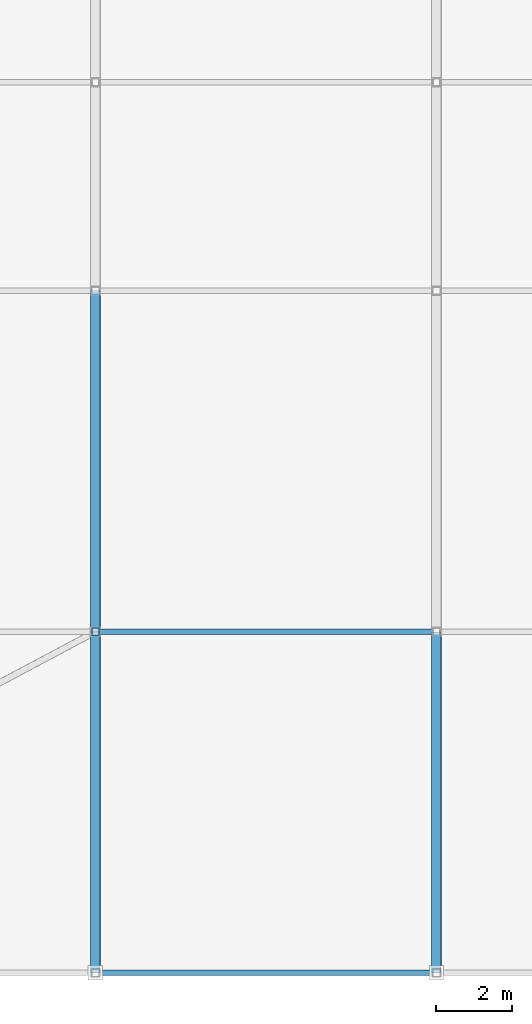
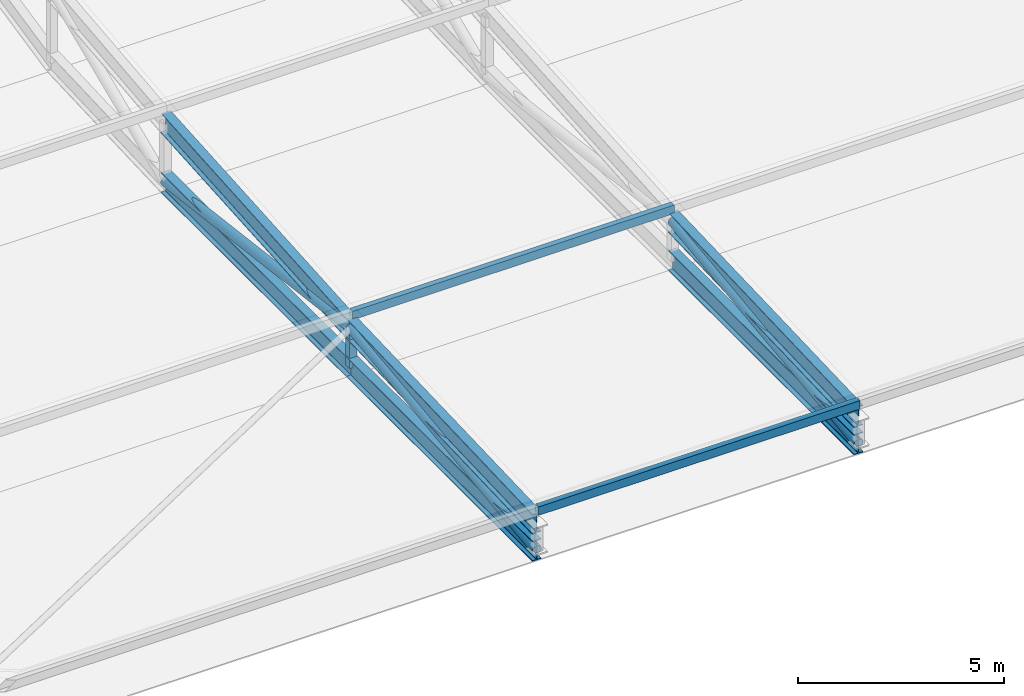
# One storey, part 14 of 114: 6 beams, 6 members.
"""IFC4 building model written with IfcOpenShell, lengths in metres."""

from ifc_helpers import new_model, si_unit, direction, frame, origin, origin_2d, place, context, subcontext, project, spatial, hollow_rectangle, hollow_circle, i_section, extrude, material, material_profile, profile_set, type_object, element, save


model = new_model("IFC4")

# Units and contexts
model_context = context("Model", 3, precision=1e-05, world=origin(), true_north=direction((0.0, 1.0)))
body_context = subcontext(model_context, "Body", "Model", "MODEL_VIEW")
ifc_project = project(units=[si_unit("LENGTHUNIT", "METRE"), si_unit("AREAUNIT", "SQUARE_METRE"), si_unit("VOLUMEUNIT", "CUBIC_METRE"), si_unit("PLANEANGLEUNIT", "RADIAN"), si_unit("MASSUNIT", "GRAM", prefix="KILO"), si_unit("THERMODYNAMICTEMPERATUREUNIT", "KELVIN"), si_unit("POWERUNIT", "WATT")], contexts=[model_context])

# Site, building, storey
site_placement = place(None, origin())
site = spatial("IfcSite", under=ifc_project, at=site_placement, CompositionType="ELEMENT")
building_placement = place(site_placement, origin())
building = spatial("IfcBuilding", under=site, at=building_placement, Name="Sindhuravela Promenade Stadium", CompositionType="ELEMENT")
storey_placement = place(building_placement, frame((0.0, 0.0, 24.0)))
storey = spatial("IfcBuildingStorey", under=building, at=storey_placement, Name="L05", CompositionType="ELEMENT", Elevation=24.0)

# Beams
ifc_material = material(Name="Steel E350 (IS 2062 E350BR)", Category="steel")
ifc_material_profile_1 = material_profile(ifc_material, i_section(OverallWidth=0.25, OverallDepth=0.60009765625, WebThickness=0.01171875, FlangeThickness=0.023681640625, FilletRadius=0.01708984375, at=origin_2d()), Name="ISWB 600")
ifc_profile_set_1 = profile_set([ifc_material_profile_1], Name="Steel E350 (IS 2062 E350BR)")
beam_type = type_object("IfcBeamType", Name="ST-BM-WB600", PredefinedType="USERDEFINED", material=ifc_profile_set_1)
beam_1_placement = place(storey_placement, frame((72.0, 9.0, 0.800048828125), z_axis=(0.0, 0.9993399990381225, 0.03632583546850814), x_axis=(-1.0, 0.0, 0.0)))
element("IfcBeam", 1, at=beam_1_placement, inside=storey, type_object=beam_type, Name="Roof truss RT-S02 top chord 1", ObjectType="ROOF TRUSS", PredefinedType="USERDEFINED", context=body_context, shape_type="SweptSolid", body=[
    extrude(i_section(OverallWidth=0.25, OverallDepth=0.60009765625, WebThickness=0.01171875, FlangeThickness=0.023681640625, FilletRadius=0.01708984375, at=origin_2d()), origin(), (0.0, 0.0, 1.0), 9.005859375),
])
beam_2_placement = place(storey_placement, frame((72.0, 9.0, 0.0), z_axis=(0.0, 1.0, 0.0), x_axis=(-1.0, 0.0, 0.0)))
element("IfcBeam", 2, at=beam_2_placement, inside=storey, type_object=beam_type, Name="Roof truss RT-S02 bottom chord 1", ObjectType="ROOF TRUSS", PredefinedType="USERDEFINED", context=body_context, shape_type="SweptSolid", body=[
    extrude(i_section(OverallWidth=0.25, OverallDepth=0.60009765625, WebThickness=0.01171875, FlangeThickness=0.023681640625, FilletRadius=0.01708984375, at=origin_2d()), origin(), (0.0, 0.0, 1.0), 9.0),
])
beam_3_placement = place(storey_placement, frame((72.0, 18.0, 1.127197265625), z_axis=(0.0, 0.9975125305940163, 0.07048937017679613), x_axis=(-1.0, 0.0, 0.0)))
element("IfcBeam", 3, at=beam_3_placement, inside=storey, type_object=beam_type, Name="Roof truss RT-S02 top chord 2", ObjectType="ROOF TRUSS", PredefinedType="USERDEFINED", context=body_context, shape_type="SweptSolid", body=[
    extrude(i_section(OverallWidth=0.25, OverallDepth=0.60009765625, WebThickness=0.01171875, FlangeThickness=0.023681640625, FilletRadius=0.01708984375, at=origin_2d()), origin(), (0.0, 0.0, 1.0), 9.0224609375),
])
beam_4_placement = place(storey_placement, frame((72.0, 18.0, 0.0), z_axis=(0.0, 1.0, 0.0), x_axis=(-1.0, 0.0, 0.0)))
element("IfcBeam", 4, at=beam_4_placement, inside=storey, type_object=beam_type, Name="Roof truss RT-S02 bottom chord 2", ObjectType="ROOF TRUSS", PredefinedType="USERDEFINED", context=body_context, shape_type="SweptSolid", body=[
    extrude(i_section(OverallWidth=0.25, OverallDepth=0.60009765625, WebThickness=0.01171875, FlangeThickness=0.023681640625, FilletRadius=0.01708984375, at=origin_2d()), origin(), (0.0, 0.0, 1.0), 9.0),
])
beam_5_placement = place(storey_placement, frame((81.0, 9.0, 0.800048828125), z_axis=(0.0, 0.9993399990381225, 0.03632583546850814), x_axis=(-1.0, 0.0, 0.0)))
element("IfcBeam", 5, at=beam_5_placement, inside=storey, type_object=beam_type, Name="Roof truss RT-S03 top chord 1", ObjectType="ROOF TRUSS", PredefinedType="USERDEFINED", context=body_context, shape_type="SweptSolid", body=[
    extrude(i_section(OverallWidth=0.25, OverallDepth=0.60009765625, WebThickness=0.01171875, FlangeThickness=0.023681640625, FilletRadius=0.01708984375, at=origin_2d()), origin(), (0.0, 0.0, 1.0), 9.005859375),
])
beam_6_placement = place(storey_placement, frame((81.0, 9.0, 0.0), z_axis=(0.0, 1.0, 0.0), x_axis=(-1.0, 0.0, 0.0)))
element("IfcBeam", 6, at=beam_6_placement, inside=storey, type_object=beam_type, Name="Roof truss RT-S03 bottom chord 1", ObjectType="ROOF TRUSS", PredefinedType="USERDEFINED", context=body_context, shape_type="SweptSolid", body=[
    extrude(i_section(OverallWidth=0.25, OverallDepth=0.60009765625, WebThickness=0.01171875, FlangeThickness=0.023681640625, FilletRadius=0.01708984375, at=origin_2d()), origin(), (0.0, 0.0, 1.0), 9.0),
])

# Members
ifc_material_profile_2 = material_profile(ifc_material, hollow_circle(Radius=0.136474609375, WallThickness=0.010009765625, at=origin_2d()), Name="CHS 273.0x10")
ifc_profile_set_2 = profile_set([ifc_material_profile_2], Name="Steel E350 (IS 2062 E350BR)")
member_type_1 = type_object("IfcMemberType", Name="ST-MB-CHS273", PredefinedType="BRACE", material=ifc_profile_set_2)
for number, where, z_axis, x_axis, name in (
    (7, (72.0, 9.0, 0.0), (0.0, 0.9922480329009012, 0.12427325216752011), (-1.0, 0.0, 0.0), "Roof truss RT-S02 diagonal web 1"),
    (8, (72.0, 18.0, 1.127197265625), (0.0, 0.9922480329009012, -0.12427325216752011), (-1.0, 0.0, 0.0), "Roof truss RT-S02 diagonal web 2"),
    (9, (81.0, 9.0, 0.0), (0.0, 0.9922480329009012, 0.12427325216752011), (-1.0, 0.0, 0.0), "Roof truss RT-S03 diagonal web 1"),
):
    element("IfcMember", number, at=place(storey_placement, frame(where, z_axis=z_axis, x_axis=x_axis)), inside=storey, type_object=member_type_1, Name=name, PredefinedType="BRACE", context=body_context, shape_type="SweptSolid", body=[
        extrude(hollow_circle(Radius=0.136474609375, WallThickness=0.010009765625, at=origin_2d()), origin(), (0.0, 0.0, 1.0), 9.0703125),
    ])
ifc_material_profile_3 = material_profile(ifc_material, hollow_rectangle(XDim=0.14990234375, YDim=0.25, WallThickness=0.010009765625, at=origin_2d()), Name="RHS 250x150x10")
ifc_profile_set_3 = profile_set([ifc_material_profile_3], Name="Steel E350 (IS 2062 E350BR)")
member_type_2 = type_object("IfcMemberType", Name="ST-MB-RHS250", PredefinedType="PURLIN", material=ifc_profile_set_3)
for number, where, z_axis, x_axis, name in (
    (10, (72.0, 9.0, 1.19189453125), (1.0, 0.0, 0.0), (0.0, 1.0, 0.0), "Roof purlin PR01 S bay 2.1"),
    (11, (72.0, 18.0, 1.51904296875), (1.0, 0.0, 0.0), (0.0, 1.0, 0.0), "Roof purlin PR01 S bay 2.2"),
):
    element("IfcMember", number, at=place(storey_placement, frame(where, z_axis=z_axis, x_axis=x_axis)), inside=storey, type_object=member_type_2, Name=name, PredefinedType="PURLIN", context=body_context, shape_type="SweptSolid", body=[
        extrude(hollow_rectangle(XDim=0.14990234375, YDim=0.25, WallThickness=0.010009765625, at=origin_2d()), origin(), (0.0, 0.0, 1.0), 9.0),
    ])
ifc_material_profile_4 = material_profile(ifc_material, hollow_rectangle(XDim=0.199951171875, YDim=0.199951171875, WallThickness=0.010009765625, at=origin_2d()), Name="SHS 200x200x10")
ifc_profile_set_4 = profile_set([ifc_material_profile_4], Name="Steel E350 (IS 2062 E350BR)")
member_type_3 = type_object("IfcMemberType", Name="ST-MB-SHS200", PredefinedType="POST", material=ifc_profile_set_4)
member_placement = place(storey_placement, frame((72.0, 18.0, 0.0), z_axis=(0.0, 0.0, 1.0), x_axis=(1.0, 0.0, 0.0)))
element("IfcMember", 12, at=member_placement, inside=storey, type_object=member_type_3, Name="Roof truss RT-S02 vertical post 2", PredefinedType="POST", context=body_context, shape_type="SweptSolid", body=[
    extrude(hollow_rectangle(XDim=0.199951171875, YDim=0.199951171875, WallThickness=0.010009765625, at=origin_2d()), origin(), (0.0, 0.0, 1.0), 1.127197265625),
])

save(model, "model.ifc")
